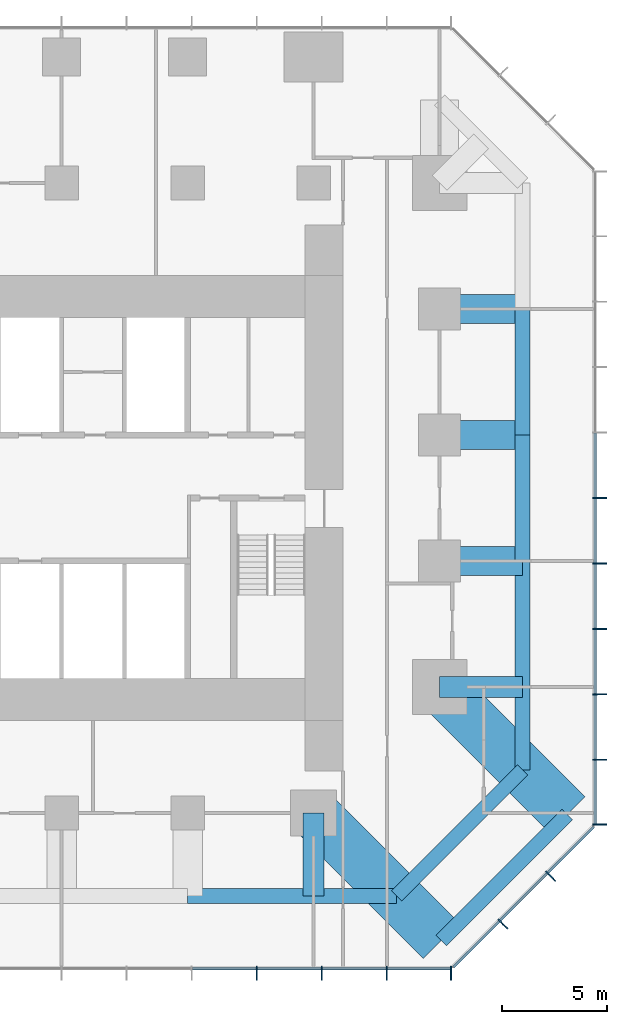
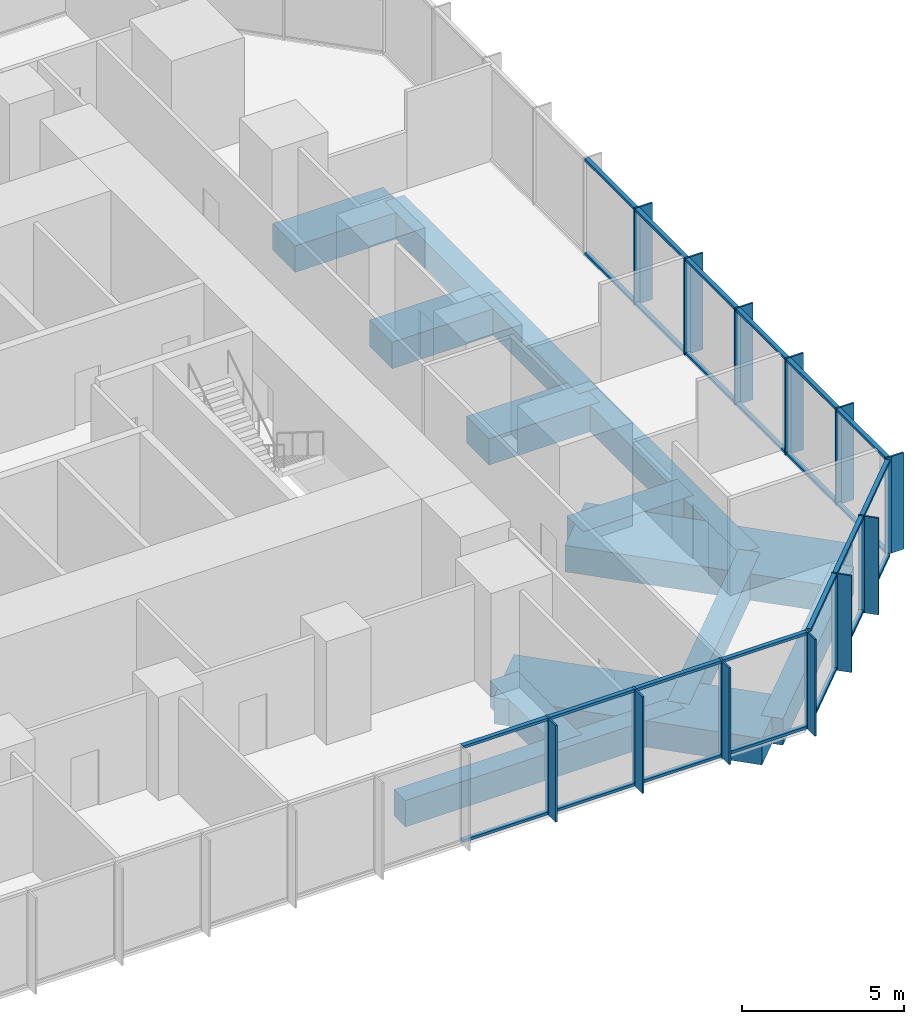
# One storey, part 4 of 12: 50 members, 13 beams, 3 elements without a shape of their own.
"""IFC4 building model written with IfcOpenShell, lengths in metres."""

from ifc_helpers import new_model, si_unit, direction, frame, origin, origin_2d, place, context, subcontext, project, spatial, rectangle, extrude, material, layer, layer_set, material_profile, profile_set, type_object, element, aggregate, save


model = new_model("IFC4")

# Units and contexts
model_context = context("Model", 3, precision=1e-05, world=origin(), true_north=direction((0.0, 1.0)))
body_context = subcontext(model_context, "Body", "Model", "MODEL_VIEW")
ifc_project = project(units=[si_unit("LENGTHUNIT", "METRE"), si_unit("AREAUNIT", "SQUARE_METRE"), si_unit("VOLUMEUNIT", "CUBIC_METRE"), si_unit("PLANEANGLEUNIT", "RADIAN"), si_unit("MASSUNIT", "GRAM", prefix="KILO")], contexts=[model_context])

# Site, building, storey
site_placement = place(None, origin())
site = spatial("IfcSite", under=ifc_project, at=site_placement, CompositionType="ELEMENT")
building_placement = place(site_placement, origin())
building = spatial("IfcBuilding", under=site, at=building_placement, Name="Highveld Stack Headquarters", CompositionType="ELEMENT")
storey_placement = place(building_placement, frame((0.0, 0.0, 160.10009765625)))
storey = spatial("IfcBuildingStorey", under=building, at=storey_placement, Name="L39", CompositionType="ELEMENT", Elevation=160.10009765625)

# Beams
ifc_material_1 = material(Name="Concrete C60/75", Category="concrete")
ifc_material_profile_1 = material_profile(ifc_material_1, rectangle(XDim=1.0, YDim=1.0, at=origin_2d()), Name="RC 1000x1000")
ifc_profile_set_1 = profile_set([ifc_material_profile_1], Name="Concrete C60/75")
beam_type_1 = type_object("IfcBeamType", Name="CANTILEVER RIB RC 1000x1000", PredefinedType="USERDEFINED", material=ifc_profile_set_1)
for number, where, z_axis, x_axis, name in (
    (1, (18.0, -12.0, -0.75), (0.0, -1.0, 0.0), (1.0, 0.0, 0.0), "Cantilever rib 9/C L39"),
    (2, (24.0, -6.0, -0.75), (1.0, 0.0, 0.0), (0.0, 1.0, 0.0), "Cantilever rib 10/D L39"),
):
    element("IfcBeam", number, at=place(storey_placement, frame(where, z_axis=z_axis, x_axis=x_axis)), inside=storey, type_object=beam_type_1, Name=name, ObjectType="CANTILEVER RIB", PredefinedType="USERDEFINED", context=body_context, shape_type="SweptSolid", body=[
        extrude(rectangle(XDim=1.0, YDim=1.0, at=origin_2d()), origin(), (0.0, 0.0, 1.0), 3.949951171875),
    ])
ifc_material_2 = material(Name="Concrete C60/75", Category="concrete")
ifc_material_profile_2 = material_profile(ifc_material_2, rectangle(XDim=1.39990234375, YDim=1.0, at=origin_2d()), Name="RC 1400x1000")
ifc_profile_set_2 = profile_set([ifc_material_profile_2], Name="Concrete C60/75")
beam_type_2 = type_object("IfcBeamType", Name="CANTILEVER RIB RC 1400x1000", PredefinedType="USERDEFINED", material=ifc_profile_set_2)
for number, where, z_axis, x_axis, name in (
    (3, (24.0, 0.0, -0.75), (1.0, 0.0, 0.0), (0.0, 1.0, 0.0), "Cantilever rib 10/E L39"),
    (4, (24.0, 6.0, -0.75), (1.0, 0.0, 0.0), (0.0, 1.0, 0.0), "Cantilever rib 10/F L39"),
    (5, (24.0, 12.0, -0.75), (1.0, 0.0, 0.0), (0.0, 1.0, 0.0), "Cantilever rib 10/G L39"),
):
    element("IfcBeam", number, at=place(storey_placement, frame(where, z_axis=z_axis, x_axis=x_axis)), inside=storey, type_object=beam_type_2, Name=name, ObjectType="CANTILEVER RIB", PredefinedType="USERDEFINED", context=body_context, shape_type="SweptSolid", body=[
        extrude(rectangle(XDim=1.39990234375, YDim=1.0, at=origin_2d()), origin(), (0.0, 0.0, 1.0), 3.949951171875),
    ])
ifc_material_3 = material(Name="Concrete C60/75", Category="concrete")
ifc_material_profile_3 = material_profile(ifc_material_3, rectangle(XDim=2.39990234375, YDim=1.0, at=origin_2d()), Name="RC 2400x1000")
ifc_profile_set_3 = profile_set([ifc_material_profile_3], Name="Concrete C60/75")
beam_type_3 = type_object("IfcBeamType", Name="CANTILEVER RIB RC 2400x1000", PredefinedType="USERDEFINED", material=ifc_profile_set_3)
for number, where, z_axis, x_axis, name in (
    (6, (18.0, -12.0, -0.75), (0.707106781187, -0.707106781187, 0.0), (0.707106781187, 0.707106781187, 0.0), "Cantilever rib 9/C L39"),
    (7, (24.0, -6.0, -0.75), (0.707106781187, -0.707106781187, 0.0), (0.707106781187, 0.707106781187, 0.0), "Cantilever rib 10/D L39"),
):
    element("IfcBeam", number, at=place(storey_placement, frame(where, z_axis=z_axis, x_axis=x_axis)), inside=storey, type_object=beam_type_3, Name=name, ObjectType="CANTILEVER RIB", PredefinedType="USERDEFINED", context=body_context, shape_type="SweptSolid", body=[
        extrude(rectangle(XDim=2.39990234375, YDim=1.0, at=origin_2d()), origin(), (0.0, 0.0, 1.0), 8.585693359375),
    ])

# Curtain wall, members
ifc_material_4 = material(Name="Aluminium bronze anodised", Category="aluminium")
ifc_layer_1 = layer(ifc_material_4, 0.199951171875)
ifc_layer_set_1 = layer_set([ifc_layer_1], Name="Aluminium bronze anodised")
curtain_wall_type_1 = type_object("IfcCurtainWallType", Name="CW1 TOWER UNITISED CURTAIN WALL", PredefinedType="NOTDEFINED", material=ifc_layer_set_1)
curtain_wall_1_placement = place(storey_placement, origin())
curtain_wall_1 = element("IfcCurtainWall", 8, at=curtain_wall_1_placement, inside=storey, type_object=curtain_wall_type_1, Name="Curtain wall CW1 L39 S", PredefinedType="NOTDEFINED")
ifc_material_5 = material(Name="Aluminium bronze anodised", Category="aluminium")
ifc_material_profile_4 = material_profile(ifc_material_5, rectangle(XDim=0.449951171875, YDim=0.06005859375, at=origin_2d()), Name="FIN 450x60")
ifc_profile_set_4 = profile_set([ifc_material_profile_4], Name="Aluminium bronze anodised")
member_type_1 = type_object("IfcMemberType", Name="CW1 BRONZE FIN 450x60", PredefinedType="USERDEFINED", material=ifc_profile_set_4)
member_1_placement = place(storey_placement, frame((15.289794921875, -19.72509765625, 0.0), z_axis=(0.0, 0.0, 1.0), x_axis=(0.0, 1.0, 0.0)))
member_1 = element("IfcMember", 9, at=member_1_placement, type_object=member_type_1, Name="CW1 fin L39 10", ObjectType="FIN", PredefinedType="USERDEFINED", context=body_context, shape_type="SweptSolid", body=[
    extrude(rectangle(XDim=0.449951171875, YDim=0.06005859375, at=origin_2d()), origin(), (0.0, 0.0, 1.0), 3.64990234375),
])
member_2_placement = place(storey_placement, frame((18.38671875, -19.72509765625, 0.0), z_axis=(0.0, 0.0, 1.0), x_axis=(0.0, 1.0, 0.0)))
member_2 = element("IfcMember", 10, at=member_2_placement, type_object=member_type_1, Name="CW1 fin L39 11", ObjectType="FIN", PredefinedType="USERDEFINED", context=body_context, shape_type="SweptSolid", body=[
    extrude(rectangle(XDim=0.449951171875, YDim=0.06005859375, at=origin_2d()), origin(), (0.0, 0.0, 1.0), 3.64990234375),
])
member_3_placement = place(storey_placement, frame((21.483154296875, -19.72509765625, 0.0), z_axis=(0.0, 0.0, 1.0), x_axis=(0.0, 1.0, 0.0)))
member_3 = element("IfcMember", 11, at=member_3_placement, type_object=member_type_1, Name="CW1 fin L39 12", ObjectType="FIN", PredefinedType="USERDEFINED", context=body_context, shape_type="SweptSolid", body=[
    extrude(rectangle(XDim=0.449951171875, YDim=0.06005859375, at=origin_2d()), origin(), (0.0, 0.0, 1.0), 3.64990234375),
])
member_4_placement = place(storey_placement, frame((24.54736328125, -19.72509765625, 0.0), z_axis=(0.0, 0.0, 1.0), x_axis=(0.0, 1.0, 0.0)))
member_4 = element("IfcMember", 12, at=member_4_placement, type_object=member_type_1, Name="CW1 fin L39 13", ObjectType="FIN", PredefinedType="USERDEFINED", context=body_context, shape_type="SweptSolid", body=[
    extrude(rectangle(XDim=0.449951171875, YDim=0.06005859375, at=origin_2d()), origin(), (0.0, 0.0, 1.0), 3.64990234375),
])

curtain_wall_2_placement = place(storey_placement, origin())
curtain_wall_2 = element("IfcCurtainWall", 13, at=curtain_wall_2_placement, inside=storey, type_object=curtain_wall_type_1, Name="Curtain wall CW1 L39 E", PredefinedType="NOTDEFINED")
member_5_placement = place(storey_placement, frame((31.72509765625, -12.54736328125, 0.0), z_axis=(0.0, 0.0, 1.0), x_axis=(-1.0, 0.0, 0.0)))
member_5 = element("IfcMember", 14, at=member_5_placement, type_object=member_type_1, Name="CW1 fin L39 1", ObjectType="FIN", PredefinedType="USERDEFINED", context=body_context, shape_type="SweptSolid", body=[
    extrude(rectangle(XDim=0.449951171875, YDim=0.06005859375, at=origin_2d()), origin(), (0.0, 0.0, 1.0), 3.64990234375),
])
member_6_placement = place(storey_placement, frame((31.72509765625, -9.4638671875, 0.0), z_axis=(0.0, 0.0, 1.0), x_axis=(-1.0, 0.0, 0.0)))
member_6 = element("IfcMember", 15, at=member_6_placement, type_object=member_type_1, Name="CW1 fin L39 2", ObjectType="FIN", PredefinedType="USERDEFINED", context=body_context, shape_type="SweptSolid", body=[
    extrude(rectangle(XDim=0.449951171875, YDim=0.06005859375, at=origin_2d()), origin(), (0.0, 0.0, 1.0), 3.64990234375),
])
member_7_placement = place(storey_placement, frame((31.72509765625, -6.347900390625, 0.0), z_axis=(0.0, 0.0, 1.0), x_axis=(-1.0, 0.0, 0.0)))
member_7 = element("IfcMember", 16, at=member_7_placement, type_object=member_type_1, Name="CW1 fin L39 3", ObjectType="FIN", PredefinedType="USERDEFINED", context=body_context, shape_type="SweptSolid", body=[
    extrude(rectangle(XDim=0.449951171875, YDim=0.06005859375, at=origin_2d()), origin(), (0.0, 0.0, 1.0), 3.64990234375),
])
member_8_placement = place(storey_placement, frame((31.72509765625, -3.23193359375, 0.0), z_axis=(0.0, 0.0, 1.0), x_axis=(-1.0, 0.0, 0.0)))
member_8 = element("IfcMember", 17, at=member_8_placement, type_object=member_type_1, Name="CW1 fin L39 4", ObjectType="FIN", PredefinedType="USERDEFINED", context=body_context, shape_type="SweptSolid", body=[
    extrude(rectangle(XDim=0.449951171875, YDim=0.06005859375, at=origin_2d()), origin(), (0.0, 0.0, 1.0), 3.64990234375),
])
member_9_placement = place(storey_placement, frame((31.72509765625, -0.115966796875, 0.0), z_axis=(0.0, 0.0, 1.0), x_axis=(-1.0, 0.0, 0.0)))
member_9 = element("IfcMember", 18, at=member_9_placement, type_object=member_type_1, Name="CW1 fin L39 5", ObjectType="FIN", PredefinedType="USERDEFINED", context=body_context, shape_type="SweptSolid", body=[
    extrude(rectangle(XDim=0.449951171875, YDim=0.06005859375, at=origin_2d()), origin(), (0.0, 0.0, 1.0), 3.64990234375),
])
member_10_placement = place(storey_placement, frame((31.72509765625, 3.0, 0.0), z_axis=(0.0, 0.0, 1.0), x_axis=(-1.0, 0.0, 0.0)))
member_10 = element("IfcMember", 19, at=member_10_placement, type_object=member_type_1, Name="CW1 fin L39 6", ObjectType="FIN", PredefinedType="USERDEFINED", context=body_context, shape_type="SweptSolid", body=[
    extrude(rectangle(XDim=0.449951171875, YDim=0.06005859375, at=origin_2d()), origin(), (0.0, 0.0, 1.0), 3.64990234375),
])

# Member
ifc_material_6 = material(Name="Aluminium bronze anodised", Category="aluminium")
ifc_material_profile_5 = material_profile(ifc_material_6, rectangle(XDim=0.199951171875, YDim=0.06494140625, at=origin_2d()), Name="CW1 MULLION 65x200")
ifc_profile_set_5 = profile_set([ifc_material_profile_5], Name="Aluminium bronze anodised")
member_type_2 = type_object("IfcMemberType", Name="CW1 MULLION 65x200", PredefinedType="MULLION", material=ifc_profile_set_5)
member_11_placement = place(storey_placement, frame((15.289794921875, -19.39990234375, 0.0), z_axis=(0.0, 0.0, 1.0), x_axis=(0.0, 1.0, 0.0)))
member_11 = element("IfcMember", 20, at=member_11_placement, type_object=member_type_2, Name="CW1 mullion L39 10", PredefinedType="MULLION", context=body_context, shape_type="SweptSolid", body=[
    extrude(rectangle(XDim=0.199951171875, YDim=0.06494140625, at=origin_2d()), origin(), (0.0, 0.0, 1.0), 3.64990234375),
])

member_12_placement = place(storey_placement, frame((18.38671875, -19.39990234375, 0.0), z_axis=(0.0, 0.0, 1.0), x_axis=(0.0, 1.0, 0.0)))
member_12 = element("IfcMember", 21, at=member_12_placement, type_object=member_type_2, Name="CW1 mullion L39 11", PredefinedType="MULLION", context=body_context, shape_type="SweptSolid", body=[
    extrude(rectangle(XDim=0.199951171875, YDim=0.06494140625, at=origin_2d()), origin(), (0.0, 0.0, 1.0), 3.64990234375),
])

member_13_placement = place(storey_placement, frame((21.483154296875, -19.39990234375, 0.0), z_axis=(0.0, 0.0, 1.0), x_axis=(0.0, 1.0, 0.0)))
member_13 = element("IfcMember", 22, at=member_13_placement, type_object=member_type_2, Name="CW1 mullion L39 12", PredefinedType="MULLION", context=body_context, shape_type="SweptSolid", body=[
    extrude(rectangle(XDim=0.199951171875, YDim=0.06494140625, at=origin_2d()), origin(), (0.0, 0.0, 1.0), 3.64990234375),
])

member_14_placement = place(storey_placement, frame((24.54736328125, -19.39990234375, 0.0), z_axis=(0.0, 0.0, 1.0), x_axis=(0.0, 1.0, 0.0)))
member_14 = element("IfcMember", 23, at=member_14_placement, type_object=member_type_2, Name="CW1 mullion L39 13", PredefinedType="MULLION", context=body_context, shape_type="SweptSolid", body=[
    extrude(rectangle(XDim=0.199951171875, YDim=0.06494140625, at=origin_2d()), origin(), (0.0, 0.0, 1.0), 3.64990234375),
])

member_15_placement = place(storey_placement, frame((31.39990234375, -12.54736328125, 0.0), z_axis=(0.0, 0.0, 1.0), x_axis=(-1.0, 0.0, 0.0)))
member_15 = element("IfcMember", 24, at=member_15_placement, type_object=member_type_2, Name="CW1 mullion L39 1", PredefinedType="MULLION", context=body_context, shape_type="SweptSolid", body=[
    extrude(rectangle(XDim=0.199951171875, YDim=0.06494140625, at=origin_2d()), origin(), (0.0, 0.0, 1.0), 3.64990234375),
])

member_16_placement = place(storey_placement, frame((31.39990234375, -9.4638671875, 0.0), z_axis=(0.0, 0.0, 1.0), x_axis=(-1.0, 0.0, 0.0)))
member_16 = element("IfcMember", 25, at=member_16_placement, type_object=member_type_2, Name="CW1 mullion L39 2", PredefinedType="MULLION", context=body_context, shape_type="SweptSolid", body=[
    extrude(rectangle(XDim=0.199951171875, YDim=0.06494140625, at=origin_2d()), origin(), (0.0, 0.0, 1.0), 3.64990234375),
])

member_17_placement = place(storey_placement, frame((31.39990234375, -6.347900390625, 0.0), z_axis=(0.0, 0.0, 1.0), x_axis=(-1.0, 0.0, 0.0)))
member_17 = element("IfcMember", 26, at=member_17_placement, type_object=member_type_2, Name="CW1 mullion L39 3", PredefinedType="MULLION", context=body_context, shape_type="SweptSolid", body=[
    extrude(rectangle(XDim=0.199951171875, YDim=0.06494140625, at=origin_2d()), origin(), (0.0, 0.0, 1.0), 3.64990234375),
])

member_18_placement = place(storey_placement, frame((31.39990234375, -3.23193359375, 0.0), z_axis=(0.0, 0.0, 1.0), x_axis=(-1.0, 0.0, 0.0)))
member_18 = element("IfcMember", 27, at=member_18_placement, type_object=member_type_2, Name="CW1 mullion L39 4", PredefinedType="MULLION", context=body_context, shape_type="SweptSolid", body=[
    extrude(rectangle(XDim=0.199951171875, YDim=0.06494140625, at=origin_2d()), origin(), (0.0, 0.0, 1.0), 3.64990234375),
])

member_19_placement = place(storey_placement, frame((31.39990234375, -0.115966796875, 0.0), z_axis=(0.0, 0.0, 1.0), x_axis=(-1.0, 0.0, 0.0)))
member_19 = element("IfcMember", 28, at=member_19_placement, type_object=member_type_2, Name="CW1 mullion L39 5", PredefinedType="MULLION", context=body_context, shape_type="SweptSolid", body=[
    extrude(rectangle(XDim=0.199951171875, YDim=0.06494140625, at=origin_2d()), origin(), (0.0, 0.0, 1.0), 3.64990234375),
])

member_20_placement = place(storey_placement, frame((31.39990234375, 3.0, 0.0), z_axis=(0.0, 0.0, 1.0), x_axis=(-1.0, 0.0, 0.0)))
member_20 = element("IfcMember", 29, at=member_20_placement, type_object=member_type_2, Name="CW1 mullion L39 6", PredefinedType="MULLION", context=body_context, shape_type="SweptSolid", body=[
    extrude(rectangle(XDim=0.199951171875, YDim=0.06494140625, at=origin_2d()), origin(), (0.0, 0.0, 1.0), 3.64990234375),
])

ifc_material_7 = material(Name="Aluminium bronze anodised", Category="aluminium")
ifc_material_profile_6 = material_profile(ifc_material_7, rectangle(XDim=0.14990234375, YDim=0.10009765625, at=origin_2d()), Name="CW1 TRANSOM 150x100")
ifc_profile_set_6 = profile_set([ifc_material_profile_6], Name="Aluminium bronze anodised")
member_type_3 = type_object("IfcMemberType", Name="CW1 STACK TRANSOM 150x100", PredefinedType="USERDEFINED", material=ifc_profile_set_6)
member_21_placement = place(storey_placement, frame((12.225830078125, -19.39990234375, 0.0498046875), z_axis=(1.0, 0.0, 0.0), x_axis=(0.0, 1.0, 0.0)))
member_21 = element("IfcMember", 30, at=member_21_placement, type_object=member_type_3, Name="CW1 transom L39 9.1", ObjectType="TRANSOM", PredefinedType="USERDEFINED", context=body_context, shape_type="SweptSolid", body=[
    extrude(rectangle(XDim=0.14990234375, YDim=0.10009765625, at=origin_2d()), origin(), (0.0, 0.0, 1.0), 3.03173828125),
])

member_22_placement = place(storey_placement, frame((12.225830078125, -19.39990234375, 3.599853515625), z_axis=(1.0, 0.0, 0.0), x_axis=(0.0, 1.0, 0.0)))
member_22 = element("IfcMember", 31, at=member_22_placement, type_object=member_type_3, Name="CW1 transom L39 9.2", ObjectType="TRANSOM", PredefinedType="USERDEFINED", context=body_context, shape_type="SweptSolid", body=[
    extrude(rectangle(XDim=0.14990234375, YDim=0.10009765625, at=origin_2d()), origin(), (0.0, 0.0, 1.0), 3.03173828125),
])

member_23_placement = place(storey_placement, frame((15.322509765625, -19.39990234375, 0.0498046875), z_axis=(1.0, 0.0, 0.0), x_axis=(0.0, 1.0, 0.0)))
member_23 = element("IfcMember", 32, at=member_23_placement, type_object=member_type_3, Name="CW1 transom L39 10.1", ObjectType="TRANSOM", PredefinedType="USERDEFINED", context=body_context, shape_type="SweptSolid", body=[
    extrude(rectangle(XDim=0.14990234375, YDim=0.10009765625, at=origin_2d()), origin(), (0.0, 0.0, 1.0), 3.031494140625),
])

member_24_placement = place(storey_placement, frame((15.322509765625, -19.39990234375, 3.599853515625), z_axis=(1.0, 0.0, 0.0), x_axis=(0.0, 1.0, 0.0)))
member_24 = element("IfcMember", 33, at=member_24_placement, type_object=member_type_3, Name="CW1 transom L39 10.2", ObjectType="TRANSOM", PredefinedType="USERDEFINED", context=body_context, shape_type="SweptSolid", body=[
    extrude(rectangle(XDim=0.14990234375, YDim=0.10009765625, at=origin_2d()), origin(), (0.0, 0.0, 1.0), 3.031494140625),
])

member_25_placement = place(storey_placement, frame((18.419189453125, -19.39990234375, 0.0498046875), z_axis=(1.0, 0.0, 0.0), x_axis=(0.0, 1.0, 0.0)))
member_25 = element("IfcMember", 34, at=member_25_placement, type_object=member_type_3, Name="CW1 transom L39 11.1", ObjectType="TRANSOM", PredefinedType="USERDEFINED", context=body_context, shape_type="SweptSolid", body=[
    extrude(rectangle(XDim=0.14990234375, YDim=0.10009765625, at=origin_2d()), origin(), (0.0, 0.0, 1.0), 3.031494140625),
])

member_26_placement = place(storey_placement, frame((18.419189453125, -19.39990234375, 3.599853515625), z_axis=(1.0, 0.0, 0.0), x_axis=(0.0, 1.0, 0.0)))
member_26 = element("IfcMember", 35, at=member_26_placement, type_object=member_type_3, Name="CW1 transom L39 11.2", ObjectType="TRANSOM", PredefinedType="USERDEFINED", context=body_context, shape_type="SweptSolid", body=[
    extrude(rectangle(XDim=0.14990234375, YDim=0.10009765625, at=origin_2d()), origin(), (0.0, 0.0, 1.0), 3.031494140625),
])

member_27_placement = place(storey_placement, frame((21.515625, -19.39990234375, 0.0498046875), z_axis=(1.0, 0.0, 0.0), x_axis=(0.0, 1.0, 0.0)))
member_27 = element("IfcMember", 36, at=member_27_placement, type_object=member_type_3, Name="CW1 transom L39 12.1", ObjectType="TRANSOM", PredefinedType="USERDEFINED", context=body_context, shape_type="SweptSolid", body=[
    extrude(rectangle(XDim=0.14990234375, YDim=0.10009765625, at=origin_2d()), origin(), (0.0, 0.0, 1.0), 2.999267578125),
])

member_28_placement = place(storey_placement, frame((21.515625, -19.39990234375, 3.599853515625), z_axis=(1.0, 0.0, 0.0), x_axis=(0.0, 1.0, 0.0)))
member_28 = element("IfcMember", 37, at=member_28_placement, type_object=member_type_3, Name="CW1 transom L39 12.2", ObjectType="TRANSOM", PredefinedType="USERDEFINED", context=body_context, shape_type="SweptSolid", body=[
    extrude(rectangle(XDim=0.14990234375, YDim=0.10009765625, at=origin_2d()), origin(), (0.0, 0.0, 1.0), 2.999267578125),
])

aggregate(curtain_wall_1, [member_11, member_1, member_12, member_2, member_13, member_3, member_14, member_4, member_21, member_22, member_23, member_24, member_25, member_26, member_27, member_28])

member_29_placement = place(storey_placement, frame((31.39990234375, -12.514892578125, 0.0498046875), z_axis=(0.0, 1.0, 0.0), x_axis=(-1.0, 0.0, 0.0)))
member_29 = element("IfcMember", 38, at=member_29_placement, type_object=member_type_3, Name="CW1 transom L39 1.1", ObjectType="TRANSOM", PredefinedType="USERDEFINED", context=body_context, shape_type="SweptSolid", body=[
    extrude(rectangle(XDim=0.14990234375, YDim=0.10009765625, at=origin_2d()), origin(), (0.0, 0.0, 1.0), 3.0185546875),
])

member_30_placement = place(storey_placement, frame((31.39990234375, -12.514892578125, 3.599853515625), z_axis=(0.0, 1.0, 0.0), x_axis=(-1.0, 0.0, 0.0)))
member_30 = element("IfcMember", 39, at=member_30_placement, type_object=member_type_3, Name="CW1 transom L39 1.2", ObjectType="TRANSOM", PredefinedType="USERDEFINED", context=body_context, shape_type="SweptSolid", body=[
    extrude(rectangle(XDim=0.14990234375, YDim=0.10009765625, at=origin_2d()), origin(), (0.0, 0.0, 1.0), 3.0185546875),
])

member_31_placement = place(storey_placement, frame((31.39990234375, -9.431396484375, 0.0498046875), z_axis=(0.0, 1.0, 0.0), x_axis=(-1.0, 0.0, 0.0)))
member_31 = element("IfcMember", 40, at=member_31_placement, type_object=member_type_3, Name="CW1 transom L39 2.1", ObjectType="TRANSOM", PredefinedType="USERDEFINED", context=body_context, shape_type="SweptSolid", body=[
    extrude(rectangle(XDim=0.14990234375, YDim=0.10009765625, at=origin_2d()), origin(), (0.0, 0.0, 1.0), 3.051025390625),
])

member_32_placement = place(storey_placement, frame((31.39990234375, -9.431396484375, 3.599853515625), z_axis=(0.0, 1.0, 0.0), x_axis=(-1.0, 0.0, 0.0)))
member_32 = element("IfcMember", 41, at=member_32_placement, type_object=member_type_3, Name="CW1 transom L39 2.2", ObjectType="TRANSOM", PredefinedType="USERDEFINED", context=body_context, shape_type="SweptSolid", body=[
    extrude(rectangle(XDim=0.14990234375, YDim=0.10009765625, at=origin_2d()), origin(), (0.0, 0.0, 1.0), 3.051025390625),
])

member_33_placement = place(storey_placement, frame((31.39990234375, -6.3154296875, 0.0498046875), z_axis=(0.0, 1.0, 0.0), x_axis=(-1.0, 0.0, 0.0)))
member_33 = element("IfcMember", 42, at=member_33_placement, type_object=member_type_3, Name="CW1 transom L39 3.1", ObjectType="TRANSOM", PredefinedType="USERDEFINED", context=body_context, shape_type="SweptSolid", body=[
    extrude(rectangle(XDim=0.14990234375, YDim=0.10009765625, at=origin_2d()), origin(), (0.0, 0.0, 1.0), 3.051025390625),
])

member_34_placement = place(storey_placement, frame((31.39990234375, -6.3154296875, 3.599853515625), z_axis=(0.0, 1.0, 0.0), x_axis=(-1.0, 0.0, 0.0)))
member_34 = element("IfcMember", 43, at=member_34_placement, type_object=member_type_3, Name="CW1 transom L39 3.2", ObjectType="TRANSOM", PredefinedType="USERDEFINED", context=body_context, shape_type="SweptSolid", body=[
    extrude(rectangle(XDim=0.14990234375, YDim=0.10009765625, at=origin_2d()), origin(), (0.0, 0.0, 1.0), 3.051025390625),
])

member_35_placement = place(storey_placement, frame((31.39990234375, -3.199462890625, 0.0498046875), z_axis=(0.0, 1.0, 0.0), x_axis=(-1.0, 0.0, 0.0)))
member_35 = element("IfcMember", 44, at=member_35_placement, type_object=member_type_3, Name="CW1 transom L39 4.1", ObjectType="TRANSOM", PredefinedType="USERDEFINED", context=body_context, shape_type="SweptSolid", body=[
    extrude(rectangle(XDim=0.14990234375, YDim=0.10009765625, at=origin_2d()), origin(), (0.0, 0.0, 1.0), 3.051025390625),
])

member_36_placement = place(storey_placement, frame((31.39990234375, -3.199462890625, 3.599853515625), z_axis=(0.0, 1.0, 0.0), x_axis=(-1.0, 0.0, 0.0)))
member_36 = element("IfcMember", 45, at=member_36_placement, type_object=member_type_3, Name="CW1 transom L39 4.2", ObjectType="TRANSOM", PredefinedType="USERDEFINED", context=body_context, shape_type="SweptSolid", body=[
    extrude(rectangle(XDim=0.14990234375, YDim=0.10009765625, at=origin_2d()), origin(), (0.0, 0.0, 1.0), 3.051025390625),
])

member_37_placement = place(storey_placement, frame((31.39990234375, -0.08349609375, 0.0498046875), z_axis=(0.0, 1.0, 0.0), x_axis=(-1.0, 0.0, 0.0)))
member_37 = element("IfcMember", 46, at=member_37_placement, type_object=member_type_3, Name="CW1 transom L39 5.1", ObjectType="TRANSOM", PredefinedType="USERDEFINED", context=body_context, shape_type="SweptSolid", body=[
    extrude(rectangle(XDim=0.14990234375, YDim=0.10009765625, at=origin_2d()), origin(), (0.0, 0.0, 1.0), 3.051025390625),
])

member_38_placement = place(storey_placement, frame((31.39990234375, -0.08349609375, 3.599853515625), z_axis=(0.0, 1.0, 0.0), x_axis=(-1.0, 0.0, 0.0)))
member_38 = element("IfcMember", 47, at=member_38_placement, type_object=member_type_3, Name="CW1 transom L39 5.2", ObjectType="TRANSOM", PredefinedType="USERDEFINED", context=body_context, shape_type="SweptSolid", body=[
    extrude(rectangle(XDim=0.14990234375, YDim=0.10009765625, at=origin_2d()), origin(), (0.0, 0.0, 1.0), 3.051025390625),
])

member_39_placement = place(storey_placement, frame((31.39990234375, 3.032470703125, 0.0498046875), z_axis=(0.0, 1.0, 0.0), x_axis=(-1.0, 0.0, 0.0)))
member_39 = element("IfcMember", 48, at=member_39_placement, type_object=member_type_3, Name="CW1 transom L39 6.1", ObjectType="TRANSOM", PredefinedType="USERDEFINED", context=body_context, shape_type="SweptSolid", body=[
    extrude(rectangle(XDim=0.14990234375, YDim=0.10009765625, at=origin_2d()), origin(), (0.0, 0.0, 1.0), 3.051025390625),
])

member_40_placement = place(storey_placement, frame((31.39990234375, 3.032470703125, 3.599853515625), z_axis=(0.0, 1.0, 0.0), x_axis=(-1.0, 0.0, 0.0)))
member_40 = element("IfcMember", 49, at=member_40_placement, type_object=member_type_3, Name="CW1 transom L39 6.2", ObjectType="TRANSOM", PredefinedType="USERDEFINED", context=body_context, shape_type="SweptSolid", body=[
    extrude(rectangle(XDim=0.14990234375, YDim=0.10009765625, at=origin_2d()), origin(), (0.0, 0.0, 1.0), 3.051025390625),
])

aggregate(curtain_wall_2, [member_15, member_5, member_16, member_6, member_17, member_7, member_18, member_8, member_19, member_9, member_20, member_10, member_29, member_30, member_31, member_32, member_33, member_34, member_35, member_36, member_37, member_38, member_39, member_40])

# Curtain wall, members
ifc_material_8 = material(Name="Aluminium bronze anodised", Category="aluminium")
ifc_layer_2 = layer(ifc_material_8, 0.199951171875)
ifc_layer_set_2 = layer_set([ifc_layer_2], Name="Aluminium bronze anodised")
curtain_wall_type_2 = type_object("IfcCurtainWallType", Name="CW2 TOWER CHAMFER UNITISED CURTAIN WALL", PredefinedType="NOTDEFINED", material=ifc_layer_set_2)
curtain_wall_3_placement = place(storey_placement, origin())
curtain_wall_3 = element("IfcCurtainWall", 50, at=curtain_wall_3_placement, inside=storey, type_object=curtain_wall_type_2, Name="Curtain wall CW2 L39 SE", PredefinedType="NOTDEFINED")
ifc_material_9 = material(Name="Aluminium bronze anodised", Category="aluminium")
ifc_material_profile_7 = material_profile(ifc_material_9, rectangle(XDim=0.449951171875, YDim=0.06005859375, at=origin_2d()), Name="FIN 450x60")
ifc_profile_set_7 = profile_set([ifc_material_profile_7], Name="Aluminium bronze anodised")
member_type_4 = type_object("IfcMemberType", Name="CW2 BRONZE FIN 450x60", PredefinedType="USERDEFINED", material=ifc_profile_set_7)
member_41_placement = place(storey_placement, frame((27.0830078125, -17.3564453125, 0.0), z_axis=(0.0, 0.0, 1.0), x_axis=(-0.707106781187, 0.707106781187, 0.0)))
member_41 = element("IfcMember", 51, at=member_41_placement, type_object=member_type_4, Name="CW2 fin L39 1", ObjectType="FIN", PredefinedType="USERDEFINED", context=body_context, shape_type="SweptSolid", body=[
    extrude(rectangle(XDim=0.449951171875, YDim=0.06005859375, at=origin_2d()), origin(), (0.0, 0.0, 1.0), 3.64990234375),
])
member_42_placement = place(storey_placement, frame((29.3564453125, -15.0830078125, 0.0), z_axis=(0.0, 0.0, 1.0), x_axis=(-0.707106781187, 0.707106781187, 0.0)))
member_42 = element("IfcMember", 52, at=member_42_placement, type_object=member_type_4, Name="CW2 fin L39 2", ObjectType="FIN", PredefinedType="USERDEFINED", context=body_context, shape_type="SweptSolid", body=[
    extrude(rectangle(XDim=0.449951171875, YDim=0.06005859375, at=origin_2d()), origin(), (0.0, 0.0, 1.0), 3.64990234375),
])
ifc_material_10 = material(Name="Aluminium bronze anodised", Category="aluminium")
ifc_material_profile_8 = material_profile(ifc_material_10, rectangle(XDim=0.199951171875, YDim=0.06494140625, at=origin_2d()), Name="CW2 MULLION 65x200")
ifc_profile_set_8 = profile_set([ifc_material_profile_8], Name="Aluminium bronze anodised")
member_type_5 = type_object("IfcMemberType", Name="CW2 MULLION 65x200", PredefinedType="MULLION", material=ifc_profile_set_8)
member_43_placement = place(storey_placement, frame((26.853271484375, -17.126708984375, 0.0), z_axis=(0.0, 0.0, 1.0), x_axis=(-0.707106781187, 0.707106781187, 0.0)))
member_43 = element("IfcMember", 53, at=member_43_placement, type_object=member_type_5, Name="CW2 mullion L39 1", PredefinedType="MULLION", context=body_context, shape_type="SweptSolid", body=[
    extrude(rectangle(XDim=0.199951171875, YDim=0.06494140625, at=origin_2d()), origin(), (0.0, 0.0, 1.0), 3.64990234375),
])
member_44_placement = place(storey_placement, frame((29.126708984375, -14.853271484375, 0.0), z_axis=(0.0, 0.0, 1.0), x_axis=(-0.707106781187, 0.707106781187, 0.0)))
member_44 = element("IfcMember", 54, at=member_44_placement, type_object=member_type_5, Name="CW2 mullion L39 2", PredefinedType="MULLION", context=body_context, shape_type="SweptSolid", body=[
    extrude(rectangle(XDim=0.199951171875, YDim=0.06494140625, at=origin_2d()), origin(), (0.0, 0.0, 1.0), 3.64990234375),
])
ifc_material_11 = material(Name="Aluminium bronze anodised", Category="aluminium")
ifc_material_profile_9 = material_profile(ifc_material_11, rectangle(XDim=0.14990234375, YDim=0.10009765625, at=origin_2d()), Name="CW2 TRANSOM 150x100")
ifc_profile_set_9 = profile_set([ifc_material_profile_9], Name="Aluminium bronze anodised")
member_type_6 = type_object("IfcMemberType", Name="CW2 STACK TRANSOM 150x100", PredefinedType="USERDEFINED", material=ifc_profile_set_9)
member_45_placement = place(storey_placement, frame((24.650634765625, -19.329345703125, 0.0498046875), z_axis=(0.707106781187, 0.707106781187, 0.0), x_axis=(-0.707106781187, 0.707106781187, 0.0)))
member_45 = element("IfcMember", 55, at=member_45_placement, type_object=member_type_6, Name="CW2 transom L39 1.1", ObjectType="TRANSOM", PredefinedType="USERDEFINED", context=body_context, shape_type="SweptSolid", body=[
    extrude(rectangle(XDim=0.14990234375, YDim=0.10009765625, at=origin_2d()), origin(), (0.0, 0.0, 1.0), 3.08251953125),
])
member_46_placement = place(storey_placement, frame((24.650634765625, -19.329345703125, 3.599853515625), z_axis=(0.707106781187, 0.707106781187, 0.0), x_axis=(-0.707106781187, 0.707106781187, 0.0)))
member_46 = element("IfcMember", 56, at=member_46_placement, type_object=member_type_6, Name="CW2 transom L39 1.2", ObjectType="TRANSOM", PredefinedType="USERDEFINED", context=body_context, shape_type="SweptSolid", body=[
    extrude(rectangle(XDim=0.14990234375, YDim=0.10009765625, at=origin_2d()), origin(), (0.0, 0.0, 1.0), 3.08251953125),
])
member_47_placement = place(storey_placement, frame((26.876220703125, -17.103759765625, 0.0498046875), z_axis=(0.707106781187, 0.707106781187, 0.0), x_axis=(-0.707106781187, 0.707106781187, 0.0)))
member_47 = element("IfcMember", 57, at=member_47_placement, type_object=member_type_6, Name="CW2 transom L39 2.1", ObjectType="TRANSOM", PredefinedType="USERDEFINED", context=body_context, shape_type="SweptSolid", body=[
    extrude(rectangle(XDim=0.14990234375, YDim=0.10009765625, at=origin_2d()), origin(), (0.0, 0.0, 1.0), 3.150146484375),
])
member_48_placement = place(storey_placement, frame((26.876220703125, -17.103759765625, 3.599853515625), z_axis=(0.707106781187, 0.707106781187, 0.0), x_axis=(-0.707106781187, 0.707106781187, 0.0)))
member_48 = element("IfcMember", 58, at=member_48_placement, type_object=member_type_6, Name="CW2 transom L39 2.2", ObjectType="TRANSOM", PredefinedType="USERDEFINED", context=body_context, shape_type="SweptSolid", body=[
    extrude(rectangle(XDim=0.14990234375, YDim=0.10009765625, at=origin_2d()), origin(), (0.0, 0.0, 1.0), 3.150146484375),
])
member_49_placement = place(storey_placement, frame((29.149658203125, -14.830322265625, 0.0498046875), z_axis=(0.707106781187, 0.707106781187, 0.0), x_axis=(-0.707106781187, 0.707106781187, 0.0)))
member_49 = element("IfcMember", 59, at=member_49_placement, type_object=member_type_6, Name="CW2 transom L39 3.1", ObjectType="TRANSOM", PredefinedType="USERDEFINED", context=body_context, shape_type="SweptSolid", body=[
    extrude(rectangle(XDim=0.14990234375, YDim=0.10009765625, at=origin_2d()), origin(), (0.0, 0.0, 1.0), 3.08251953125),
])
member_50_placement = place(storey_placement, frame((29.149658203125, -14.830322265625, 3.599853515625), z_axis=(0.707106781187, 0.707106781187, 0.0), x_axis=(-0.707106781187, 0.707106781187, 0.0)))
member_50 = element("IfcMember", 60, at=member_50_placement, type_object=member_type_6, Name="CW2 transom L39 3.2", ObjectType="TRANSOM", PredefinedType="USERDEFINED", context=body_context, shape_type="SweptSolid", body=[
    extrude(rectangle(XDim=0.14990234375, YDim=0.10009765625, at=origin_2d()), origin(), (0.0, 0.0, 1.0), 3.08251953125),
])
aggregate(curtain_wall_3, [member_43, member_41, member_44, member_42, member_45, member_46, member_47, member_48, member_49, member_50])

# Beams
ifc_material_12 = material(Name="Concrete C60/75", Category="concrete")
ifc_material_profile_10 = material_profile(ifc_material_12, rectangle(XDim=0.699951171875, YDim=1.0, at=origin_2d()), Name="RC 700x1000")
ifc_profile_set_10 = profile_set([ifc_material_profile_10], Name="Concrete C60/75")
beam_type_4 = type_object("IfcBeamType", Name="RIB TIP BEAM RC 700x1000", PredefinedType="SPANDREL", material=ifc_profile_set_10)
beam_1_placement = place(storey_placement, frame((27.949951171875, -9.949951171875, -0.75), z_axis=(0.0, 1.0, 0.0), x_axis=(-1.0, 0.0, 0.0)))
element("IfcBeam", 61, at=beam_1_placement, inside=storey, type_object=beam_type_4, Name="Rib tip beam 10/D to 10/E L39", PredefinedType="SPANDREL", context=body_context, shape_type="SweptSolid", body=[
    extrude(rectangle(XDim=0.699951171875, YDim=1.0, at=origin_2d()), origin(), (0.0, 0.0, 1.0), 9.949951171875),
])
for number, where, z_axis, x_axis, name in (
    (62, (27.949951171875, 0.0, -0.75), (0.0, 1.0, 0.0), (-1.0, 0.0, 0.0), "Rib tip beam 10/E to 10/F L39"),
    (63, (27.949951171875, 6.0, -0.75), (0.0, 1.0, 0.0), (-1.0, 0.0, 0.0), "Rib tip beam 10/F to 10/G L39"),
):
    element("IfcBeam", number, at=place(storey_placement, frame(where, z_axis=z_axis, x_axis=x_axis)), inside=storey, type_object=beam_type_4, Name=name, PredefinedType="SPANDREL", context=body_context, shape_type="SweptSolid", body=[
        extrude(rectangle(XDim=0.699951171875, YDim=1.0, at=origin_2d()), origin(), (0.0, 0.0, 1.0), 6.0),
    ])
beam_2_placement = place(storey_placement, frame((12.0, -15.949951171875, -0.75), z_axis=(1.0, 0.0, 0.0), x_axis=(0.0, 1.0, 0.0)))
element("IfcBeam", 64, at=beam_2_placement, inside=storey, type_object=beam_type_4, Name="Rib tip beam 8/C to 9/C L39", PredefinedType="SPANDREL", context=body_context, shape_type="SweptSolid", body=[
    extrude(rectangle(XDim=0.699951171875, YDim=1.0, at=origin_2d()), origin(), (0.0, 0.0, 1.0), 9.949951171875),
])
for number, where, z_axis, x_axis, name in (
    (65, (21.949951171875, -15.949951171875, -0.75), (0.707106781187, 0.707106781187, 0.0), (-0.707106781187, 0.707106781187, 0.0), "Rib tip beam 9/C to 10/D chamfer L39"),
    (66, (24.071044921875, -18.071044921875, -0.75), (0.707106781187, 0.707106781187, 0.0), (-0.707106781187, 0.707106781187, 0.0), "Rib tip beam 9/C to 10/D chamfer edge L39"),
):
    element("IfcBeam", number, at=place(storey_placement, frame(where, z_axis=z_axis, x_axis=x_axis)), inside=storey, type_object=beam_type_4, Name=name, PredefinedType="SPANDREL", context=body_context, shape_type="SweptSolid", body=[
        extrude(rectangle(XDim=0.699951171875, YDim=1.0, at=origin_2d()), origin(), (0.0, 0.0, 1.0), 8.4853515625),
    ])

save(model, "model.ifc")
